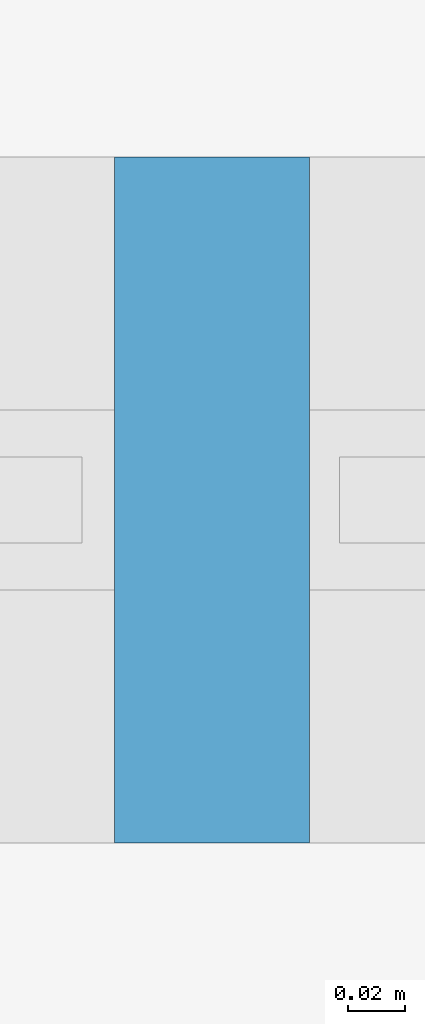
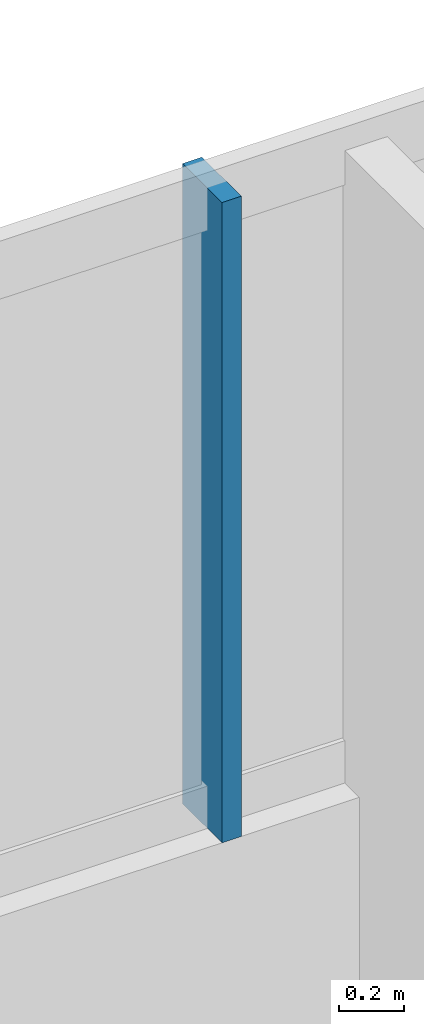
# One storey, part 8 of 21: 1 member, 1 element without a shape of its own.
"""IFC4 building model written with IfcOpenShell, lengths in metres."""

import ifcopenshell
import ifcopenshell.guid

model = None  # the IFC model being written
_history = None  # IfcOwnerHistory: only IFC2X3 demands one
_inside = {}  # id of a spatial element -> (the spatial element, [elements in it])
_under = {}  # id of a project, library or spatial element -> (it, [spatial elements below it])
_declared = {}  # id of a project -> (the project, [libraries it declares])
_typed = {}  # id of a type object -> (the type object, [elements of that type])
_made_of = {}  # id of a material, layer set ... -> (it, [elements and type objects made of it])


def new_model(schema):
    """Start an empty IFC model of exactly this schema.

    Asked for "IFC4X3", IfcOpenShell would pick the latest addendum, in which some entities
    have other attributes; the version numbers below select the first issue.
    IFC2X3 requires an IfcOwnerHistory on every rooted entity: one is made here for all.
    """
    global model, _history
    if schema == "IFC4X3":
        model = ifcopenshell.file(schema_version=(4, 3, 0, 0))
    else:
        model = ifcopenshell.file(schema=schema)
    _inside.clear()
    _under.clear()
    _declared.clear()
    _typed.clear()
    _made_of.clear()
    _history = None
    if model.schema == "IFC2X3":
        org = make("IfcOrganization", Name="unknown")
        user = make(
            "IfcPersonAndOrganization",
            ThePerson=make("IfcPerson", FamilyName="unknown"),
            TheOrganization=org,
        )
        app = make(
            "IfcApplication",
            ApplicationDeveloper=org,
            Version="unknown",
            ApplicationFullName="unknown",
            ApplicationIdentifier="unknown",
        )
        _history = make(
            "IfcOwnerHistory",
            OwningUser=user,
            OwningApplication=app,
            ChangeAction="ADDED",
            CreationDate=0,
        )
    return model


def make(cls, **values):
    """One entity of the class cls with the attributes given. An attribute that is None is left unset."""
    return model.create_entity(
        cls, **{name: value for name, value in values.items() if value is not None}
    )


def rooted(cls, **values):
    """An entity with a GlobalId (a new one), such as an element, a storey or a relation."""
    return make(cls, GlobalId=ifcopenshell.guid.new(), OwnerHistory=_history, **values)


def si_unit(unit_type, name, prefix=None):
    """IfcSIUnit, for example si_unit("LENGTHUNIT", "METRE", prefix="MILLI")."""
    return make("IfcSIUnit", UnitType=unit_type, Prefix=prefix, Name=name)


def derived_unit(unit_type, elements):
    """IfcDerivedUnit: a product of units, each with its exponent."""
    return make(
        "IfcDerivedUnit",
        Elements=[
            make("IfcDerivedUnitElement", Unit=unit, Exponent=power)
            for unit, power in elements
        ],
        UnitType=unit_type,
    )


def assignment(units):
    """IfcUnitAssignment: the units of a project."""
    return None if units is None else make("IfcUnitAssignment", Units=units)


def point(xyz):
    """IfcCartesianPoint."""
    return None if xyz is None else make("IfcCartesianPoint", Coordinates=xyz)


def direction(xyz):
    """IfcDirection."""
    return None if xyz is None else make("IfcDirection", DirectionRatios=xyz)


def frame(location, z_axis=None, x_axis=None):
    """IfcAxis2Placement3D, a coordinate frame: its origin and axes. An axis left out is left unset."""
    return make(
        "IfcAxis2Placement3D",
        Location=point(location),
        Axis=direction(z_axis),
        RefDirection=direction(x_axis),
    )


def frame_2d(location, x_axis=None):
    """IfcAxis2Placement2D, a coordinate frame in the plane: its origin and x axis."""
    return make(
        "IfcAxis2Placement2D", Location=point(location), RefDirection=direction(x_axis)
    )


def origin():
    """The frame at (0, 0, 0) with its axes left unset."""
    return frame((0.0, 0.0, 0.0))


def origin_2d():
    """The frame at (0, 0) in the plane with its x axis left unset."""
    return frame_2d((0.0, 0.0))


def place(relative_to, where):
    """IfcLocalPlacement: puts the frame where relative to a parent placement (None: the world)."""
    return make(
        "IfcLocalPlacement", PlacementRelTo=relative_to, RelativePlacement=where
    )


def context(
    kind, dimensions, precision=None, world=None, true_north=None, identifier=None
):
    """IfcGeometricRepresentationContext, for example the 3D "Model" context."""
    return make(
        "IfcGeometricRepresentationContext",
        ContextIdentifier=identifier,
        ContextType=kind,
        CoordinateSpaceDimension=dimensions,
        Precision=precision,
        WorldCoordinateSystem=world,
        TrueNorth=true_north,
    )


def subcontext(parent, identifier, kind, view, scale=None):
    """IfcGeometricRepresentationSubContext, for example "Body" below "Model"."""
    return make(
        "IfcGeometricRepresentationSubContext",
        ContextIdentifier=identifier,
        ContextType=kind,
        ParentContext=parent,
        TargetScale=scale,
        TargetView=view,
    )


def project(units=None, contexts=None):
    """IfcProject with its units and contexts."""
    return rooted(
        "IfcProject",
        Name="project",
        RepresentationContexts=contexts,
        UnitsInContext=assignment(units),
    )


def spatial(cls, under=None, at=None, **own):
    """A site, building, storey or space (cls), placed at a placement, below another one or the project."""
    s = rooted(cls, ObjectPlacement=at, **own)
    if under is not None:
        _under.setdefault(under.id(), (under, []))[1].append(s)
    return s


def profile(cls, at=None, kind="AREA", **sizes):
    """A parametric profile (cls). Its sizes go by their IFC names, for example OverallWidth=200.0."""
    return make(cls, ProfileType=kind, Position=at, **sizes)


def rectangle(**sizes):
    """IfcRectangleProfileDef."""
    return profile("IfcRectangleProfileDef", **sizes)


def extrude(swept, where, along, depth):
    """IfcExtrudedAreaSolid: the profile swept, set in the frame where, extruded along a direction by depth."""
    return make(
        "IfcExtrudedAreaSolid",
        SweptArea=swept,
        Position=where,
        ExtrudedDirection=direction(along),
        Depth=depth,
    )


def shape(context_of_items, identifier, shape_type, items):
    """IfcShapeRepresentation: the items that make up one representation, for example the "Body"."""
    return make(
        "IfcShapeRepresentation",
        ContextOfItems=context_of_items,
        RepresentationIdentifier=identifier,
        RepresentationType=shape_type,
        Items=items,
    )


def material(Name=None, Category=None):
    """IfcMaterial."""
    return make("IfcMaterial", Name=Name, Category=Category)


def material_profile(
    of_material, cross_section, Name=None, Category=None, Priority=None
):
    """IfcMaterialProfile: a cross section and its material."""
    return make(
        "IfcMaterialProfile",
        Name=Name,
        Material=of_material,
        Profile=cross_section,
        Priority=Priority,
        Category=Category,
    )


def profile_set(profiles, Name=None, composite=None):
    """IfcMaterialProfileSet."""
    return make(
        "IfcMaterialProfileSet",
        Name=Name,
        MaterialProfiles=profiles,
        CompositeProfile=composite,
    )


def made_of(thing, what):
    """Note that an element or type object is made of a material, layer set ...; save() writes the relation."""
    if what is not None:
        _made_of.setdefault(what.id(), (what, []))[1].append(thing)
    return thing


def type_object(cls, material=None, **own):
    """A type object (cls), such as IfcWallType, which elements share."""
    return made_of(rooted(cls, **own), material)


def element(
    cls,
    number,
    at=None,
    inside=None,
    cuts=None,
    type_object=None,
    material=None,
    context=None,
    identifier="Body",
    shape_type=None,
    held_by="IfcProductDefinitionShape",
    body=None,
    shapes=None,
    **own,
):
    """One element of the class cls, such as IfcWall. Its Tag is "e" and its number.

    at: its placement. inside: the storey or other place that contains it. cuts: it is an
    opening in that element (IfcRelVoidsElement). A single representation is given by context,
    identifier, shape_type and body (its items); several are given by shapes. held_by: the class
    of the entity that holds the representations. save() writes the other relations.
    """
    e = rooted(cls, Tag="e%d" % number, ObjectPlacement=at, **own)
    if body is not None:
        shapes = [shape(context, identifier, shape_type, body)]
    if shapes is not None:
        e.Representation = make(held_by, Representations=shapes)
    if inside is not None:
        _inside.setdefault(inside.id(), (inside, []))[1].append(e)
    if cuts is not None:
        rooted(
            "IfcRelVoidsElement", RelatingBuildingElement=cuts, RelatedOpeningElement=e
        )
    if type_object is not None:
        _typed.setdefault(type_object.id(), (type_object, []))[1].append(e)
    return made_of(e, material)


def aggregate(whole, parts):
    """IfcRelAggregates: a whole, such as a stair, and the parts it consists of."""
    return rooted("IfcRelAggregates", RelatingObject=whole, RelatedObjects=parts)


def save(model, path):
    """Write the relations noted so far, then the file.

    IfcRelAggregates (storeys below a building ...), IfcRelContainedInSpatialStructure (elements
    in a storey), IfcRelDefinesByType, IfcRelAssociatesMaterial and IfcRelDeclares: one each for
    every whole, place, type object, material and project.
    """
    for whole, parts in _under.values():
        aggregate(whole, parts)
    for where, things in _inside.values():
        rooted(
            "IfcRelContainedInSpatialStructure",
            RelatedElements=things,
            RelatingStructure=where,
        )
    for kind, things in _typed.values():
        rooted("IfcRelDefinesByType", RelatedObjects=things, RelatingType=kind)
    for what, things in _made_of.values():
        rooted("IfcRelAssociatesMaterial", RelatedObjects=things, RelatingMaterial=what)
    for by, libraries in _declared.values():
        rooted("IfcRelDeclares", RelatingContext=by, RelatedDefinitions=libraries)
    model.write(path)


model = new_model("IFC4")

# Units and contexts
model_context = context("Model", 3, precision=1e-05, world=origin(), true_north=direction((0.0, 1.0)))
body_context = subcontext(model_context, "Body", "Model", "MODEL_VIEW")
ifc_project = project(units=[si_unit("LENGTHUNIT", "METRE"), si_unit("AREAUNIT", "SQUARE_METRE"), si_unit("VOLUMEUNIT", "CUBIC_METRE"), si_unit("PLANEANGLEUNIT", "RADIAN"), si_unit("MASSUNIT", "GRAM", prefix="KILO"), derived_unit("THERMALTRANSMITTANCEUNIT", [(si_unit("POWERUNIT", "WATT"), 1), (si_unit("LENGTHUNIT", "METRE"), -2), (si_unit("THERMODYNAMICTEMPERATUREUNIT", "KELVIN"), -1)])], contexts=[model_context])

# Site, building, storey
site_placement = place(None, origin())
site = spatial("IfcSite", under=ifc_project, at=site_placement, CompositionType="ELEMENT")
building_placement = place(site_placement, origin())
building = spatial("IfcBuilding", under=site, at=building_placement, Name="Koralith Skygarden Medical Center", CompositionType="ELEMENT")
storey_placement = place(building_placement, frame((0.0, 0.0, 14.39990234375)))
storey = spatial("IfcBuildingStorey", under=building, at=storey_placement, Name="L03", CompositionType="ELEMENT", Elevation=14.39990234375)

# Curtain wall, member
ifc_material_1 = material(Name="Clear Laminated Glass", Category="glass")
curtain_wall_type = type_object("IfcCurtainWallType", Name="CW-1 Transit & Podium Acoustic Curtain Wall", PredefinedType="NOTDEFINED", material=ifc_material_1)
curtain_wall_placement = place(storey_placement, origin())
curtain_wall = element("IfcCurtainWall", 1, at=curtain_wall_placement, inside=storey, type_object=curtain_wall_type, Name="Curtain Wall CW-L03-N", PredefinedType="NOTDEFINED")
ifc_material_2 = material(Name="Aluminium 6063-T6", Category="aluminium")
ifc_material_profile = material_profile(ifc_material_2, rectangle(XDim=0.068115234375, YDim=0.239990234375, at=origin_2d()), Name="MUL68X240")
ifc_profile_set = profile_set([ifc_material_profile], Name="Aluminium 6063-T6")
member_type = type_object("IfcMemberType", Name="CW-1 Extruded Mullion 68x240", PredefinedType="MULLION", material=ifc_profile_set)
member_placement = place(storey_placement, frame((47.8740234375, 51.3798828125, 0.85009765625), z_axis=(0.0, 0.0, 1.0), x_axis=(1.0, 0.0, 0.0)))
member = element("IfcMember", 2, at=member_placement, type_object=member_type, Name="CW-L03-N Mullion 2", PredefinedType="MULLION", context=body_context, shape_type="SweptSolid", body=[
    extrude(rectangle(XDim=0.068115234375, YDim=0.239990234375, at=origin_2d()), origin(), (0.0, 0.0, 1.0), 2.389892578125),
])
aggregate(curtain_wall, [member])

save(model, "model.ifc")
